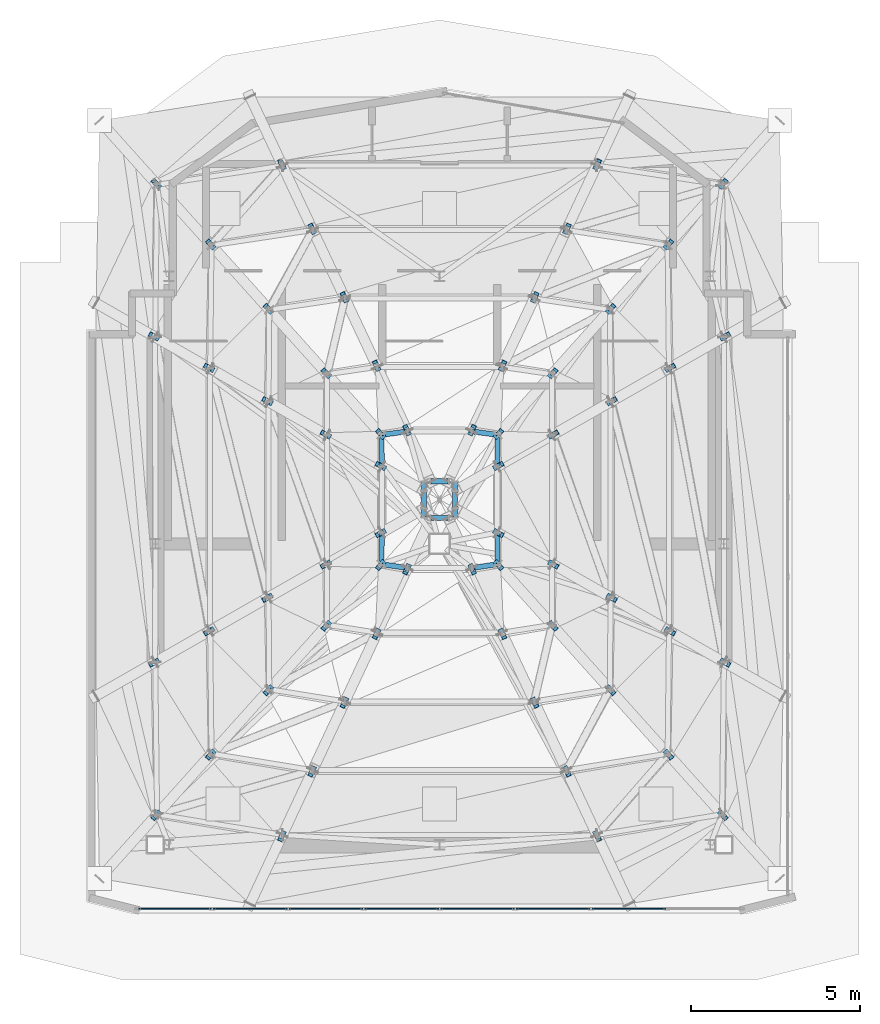
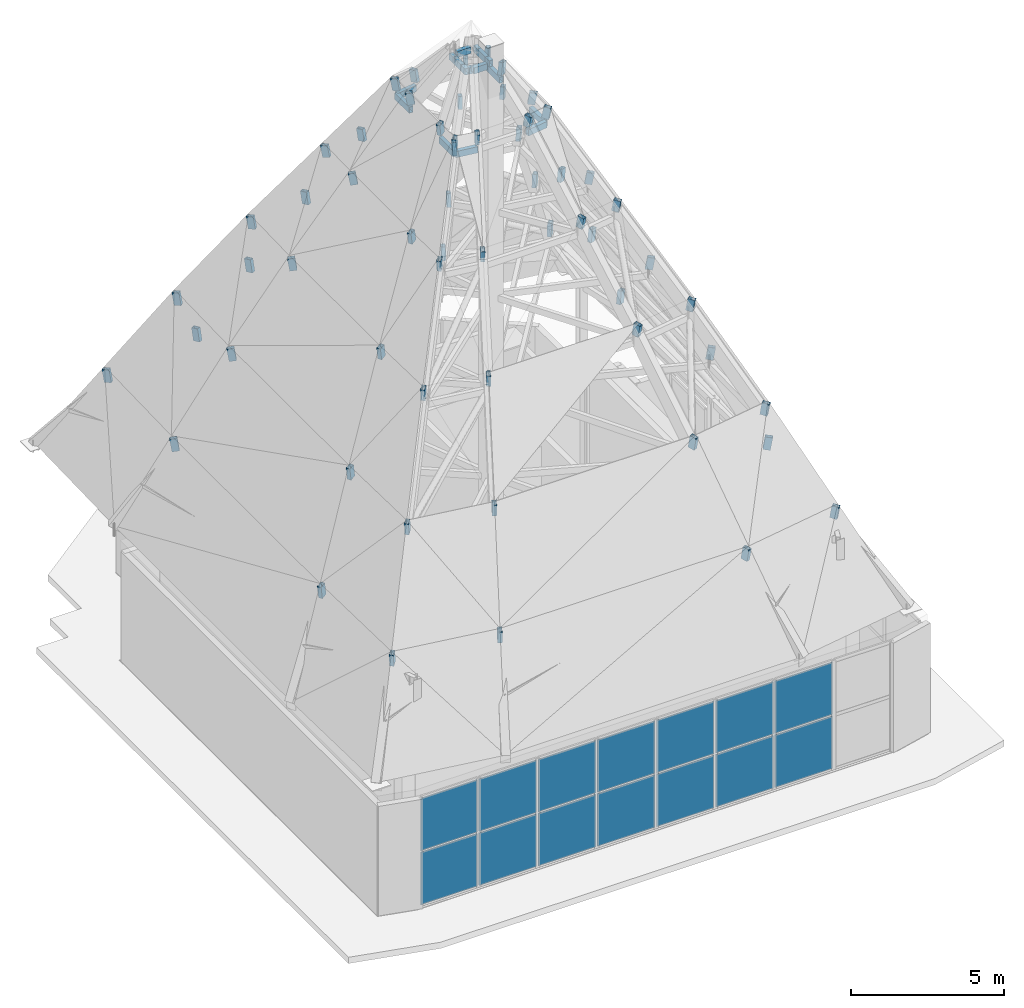
# One storey, part 18 of 30: 76 members, 14 plates, 1 element without a shape of its own.
"""IFC4 building model written with IfcOpenShell, lengths in metres."""

from ifc_helpers import new_model, si_unit, direction, frame, origin, origin_2d, place, context, subcontext, project, spatial, rectangle, hollow_rectangle, extrude, material, layer, layer_set, material_profile, profile_set, type_object, element, aggregate, save


model = new_model("IFC4")

# Units and contexts
model_context = context("Model", 3, precision=1e-05, world=origin(), true_north=direction((0.0, 1.0)))
body_context = subcontext(model_context, "Body", "Model", "MODEL_VIEW")
ifc_project = project(units=[si_unit("LENGTHUNIT", "METRE"), si_unit("AREAUNIT", "SQUARE_METRE"), si_unit("VOLUMEUNIT", "CUBIC_METRE"), si_unit("PLANEANGLEUNIT", "RADIAN"), si_unit("MASSUNIT", "GRAM", prefix="KILO")], contexts=[model_context])

# Site, building, storey
site_placement = place(None, origin())
site = spatial("IfcSite", under=ifc_project, at=site_placement, CompositionType="ELEMENT")
building_placement = place(site_placement, origin())
building = spatial("IfcBuilding", under=site, at=building_placement, Name="Haolan Belvedere Tower", CompositionType="ELEMENT")
storey_placement = place(building_placement, frame((0.0, 0.0, 333.0)))
storey = spatial("IfcBuildingStorey", under=building, at=storey_placement, Name="L83", CompositionType="ELEMENT", Elevation=333.0)

# Members
ifc_material_1 = material(Name="Steel Q355B", Category="steel")
ifc_material_profile = material_profile(ifc_material_1, hollow_rectangle(XDim=0.14990234375, YDim=0.25, WallThickness=0.010009765625, at=origin_2d()), Name="Steel Q355B")
ifc_profile_set = profile_set([ifc_material_profile], Name="Steel Q355B")
member_type = type_object("IfcMemberType", Name="MEM-RHS250x150x10", PredefinedType="PURLIN", material=ifc_profile_set)
for number, where, z_axis, x_axis, name in (
    (1, (30.051513671875, 27.296142578125, 7.823974609375), (-0.106405578255, -0.118066463543, 0.987288287737), (0.742837964983, -0.669471252392, 0.0), "Crown ring node bearing chord lug T1-01"),
    (2, (33.75537109375, 26.688720703125, 7.823974609375), (-0.067531815776, -0.144294599176, 0.987227695371), (0.905715137735, -0.423886882644, 0.0), "Crown ring node bearing chord lug T1-02"),
    (3, (43.044677734375, 26.688720703125, 7.823974609375), (0.067531815776, -0.144294599176, 0.987227695371), (0.905715137735, 0.423886882644, 0.0), "Crown ring node bearing chord lug T1-03"),
    (4, (46.74853515625, 27.296142578125, 7.823974609375), (0.106405578255, -0.118066463543, 0.987288287737), (0.742837964983, 0.669471252392, 0.0), "Crown ring node bearing chord lug T1-04"),
    (5, (46.804443359375, 31.797607421875, 7.823974609375), (0.13798364094, -0.079194836174, 0.987263233771), (0.497782445474, 0.867301929537, 0.0), "Crown ring node bearing chord lug T1-05"),
    (6, (46.804443359375, 41.402587890625, 7.823974609375), (0.137988934216, 0.078711997686, 0.987301106783), (-0.495480037667, 0.868619325293, 0.0), "Crown ring node bearing chord lug T1-06"),
    (7, (46.74853515625, 45.90380859375, 7.823974609375), (0.106399462269, 0.118545519606, 0.987231540324), (-0.744203407529, 0.667953058397, 0.0), "Crown ring node bearing chord lug T1-07"),
    (8, (43.04443359375, 46.46923828125, 7.823974609375), (0.068015416622, 0.14428984812, 0.987195189834), (-0.904542423848, 0.426383634137, 0.0), "Crown ring node bearing chord lug T1-08"),
    (9, (33.755615234375, 46.46923828125, 7.823974609375), (-0.068015416622, 0.14428984812, 0.987195189834), (-0.904542423848, -0.426383634137, 0.0), "Crown ring node bearing chord lug T1-09"),
    (10, (30.051513671875, 45.90380859375, 7.823974609375), (-0.106399462269, 0.118545519606, 0.987231540324), (-0.744203407529, -0.667953058397, 0.0), "Crown ring node bearing chord lug T1-10"),
    (11, (29.99560546875, 41.402587890625, 7.823974609375), (-0.138465511212, 0.078706711636, 0.987234802744), (-0.494166624947, -0.869367210555, 0.0), "Crown ring node bearing chord lug T1-11"),
    (12, (29.99560546875, 31.797607421875, 7.823974609375), (-0.138460200368, -0.079189518105, 0.987196937362), (0.496466913182, -0.868055645748, 0.0), "Crown ring node bearing chord lug T1-12"),
):
    element("IfcMember", number, at=place(storey_placement, frame(where, z_axis=z_axis, x_axis=x_axis)), inside=storey, type_object=member_type, Name=name, PredefinedType="STRUT", context=body_context, shape_type="SweptSolid", body=[
        extrude(hollow_rectangle(XDim=0.14990234375, YDim=0.25, WallThickness=0.010009765625, at=origin_2d()), origin(), (0.0, 0.0, 1.0), 0.50244140625),
    ])
member_1_placement = place(storey_placement, frame((31.659423828125, 29.088134765625, 11.430419921875), z_axis=(-0.107314995557, -0.119621761103, 0.987002596754), x_axis=(0.744359401449, -0.667779216115, 0.0)))
element("IfcMember", 13, at=member_1_placement, inside=storey, type_object=member_type, Name="Crown ring node bearing chord lug T2-01", PredefinedType="STRUT", context=body_context, shape_type="SweptSolid", body=[
    extrude(hollow_rectangle(XDim=0.14990234375, YDim=0.25, WallThickness=0.010009765625, at=origin_2d()), origin(), (0.0, 0.0, 1.0), 0.495849609375),
])
for number, where, z_axis, x_axis, name in (
    (14, (34.6513671875, 28.600830078125, 11.430419921875), (-0.068417683515, -0.146187424489, 0.986888168692), (0.905715137735, -0.423886882644, 0.0), "Crown ring node bearing chord lug T2-02"),
    (15, (42.148681640625, 28.600830078125, 11.430419921875), (0.068417683515, -0.146187424489, 0.986888168692), (0.905715137735, 0.423886882644, 0.0), "Crown ring node bearing chord lug T2-03"),
    (16, (45.140380859375, 29.088134765625, 11.430419921875), (0.107801558326, -0.119615427731, 0.986950339922), (0.742837964983, 0.669471252392, 0.0), "Crown ring node bearing chord lug T2-04"),
    (17, (45.180419921875, 32.7255859375, 11.430419921875), (0.14027637589, -0.080228243053, 0.986856609333), (0.496466913182, 0.868055645748, 0.0), "Crown ring node bearing chord lug T2-05"),
    (18, (45.180419921875, 40.474609375, 11.430419921875), (0.140281898481, 0.0797391844, 0.986895461247), (-0.494166624947, 0.869367210555, 0.0), "Crown ring node bearing chord lug T2-06"),
    (19, (45.140380859375, 44.11181640625, 11.430419921875), (0.107795198468, 0.120100586421, 0.986892113824), (-0.744203407529, 0.667953058397, 0.0), "Crown ring node bearing chord lug T2-07"),
    (20, (42.1484375, 44.565185546875, 11.430419921875), (0.068907568219, 0.146182484007, 0.986854816278), (-0.904542423848, 0.426383634137, 0.0), "Crown ring node bearing chord lug T2-08"),
    (21, (34.651611328125, 44.565185546875, 11.430419921875), (-0.068907568219, 0.146182484007, 0.986854816278), (-0.904542423848, -0.426383634137, 0.0), "Crown ring node bearing chord lug T2-09"),
    (22, (31.659423828125, 44.11181640625, 11.430419921875), (-0.107308663734, 0.12010694473, 0.986944361408), (-0.745720714157, -0.666258670845, 0.0), "Crown ring node bearing chord lug T2-10"),
    (23, (31.61962890625, 40.474609375, 11.430419921875), (-0.140281898481, 0.0797391844, 0.986895461247), (-0.494166624947, -0.869367210555, 0.0), "Crown ring node bearing chord lug T2-11"),
    (24, (31.61962890625, 32.7255859375, 11.430419921875), (-0.14027637589, -0.080228243053, 0.986856609333), (0.496466913182, -0.868055645748, 0.0), "Crown ring node bearing chord lug T2-12"),
):
    element("IfcMember", number, at=place(storey_placement, frame(where, z_axis=z_axis, x_axis=x_axis)), inside=storey, type_object=member_type, Name=name, PredefinedType="STRUT", context=body_context, shape_type="SweptSolid", body=[
        extrude(hollow_rectangle(XDim=0.14990234375, YDim=0.25, WallThickness=0.010009765625, at=origin_2d()), origin(), (0.0, 0.0, 1.0), 0.49609375),
    ])
for number, where, z_axis, x_axis, name in (
    (25, (33.367919921875, 30.9921875, 15.0419921875), (-0.109815330738, -0.122912572019, 0.986323016448), (0.745720714157, -0.666258670845, 0.0), "Crown ring node bearing chord lug T3-01"),
    (26, (35.603515625, 30.63232421875, 15.0419921875), (-0.070015691782, -0.149601873807, 0.986264205098), (0.905715137735, -0.423886882644, 0.0), "Crown ring node bearing chord lug T3-02"),
    (27, (41.196533203125, 30.63232421875, 15.0419921875), (0.070015691782, -0.149601873807, 0.986264205098), (0.905715137735, 0.423886882644, 0.0), "Crown ring node bearing chord lug T3-03"),
    (28, (43.431884765625, 30.9921875, 15.0419921875), (0.110312954627, -0.122905757667, 0.986268334062), (0.744203407529, 0.667953058397, 0.0), "Crown ring node bearing chord lug T3-04"),
    (29, (43.454833984375, 33.71142578125, 15.0419921875), (0.143558464595, -0.08160165356, 0.986271837466), (0.494166624947, 0.869367210555, 0.0), "Crown ring node bearing chord lug T3-05"),
    (30, (43.454833984375, 39.488525390625, 15.0419921875), (0.143552545938, 0.082101982414, 0.986231175252), (-0.496466913182, 0.868055645748, 0.0), "Crown ring node bearing chord lug T3-06"),
    (31, (43.431884765625, 42.207763671875, 15.0419921875), (0.110312954627, 0.122905757667, 0.986268334062), (-0.744203407529, 0.667953058397, 0.0), "Crown ring node bearing chord lug T3-07"),
    (32, (41.1962890625, 42.542236328125, 15.0419921875), (0.07051690593, 0.14959657901, 0.986229298656), (-0.904542423848, 0.426383634137, 0.0), "Crown ring node bearing chord lug T3-08"),
    (33, (35.603515625, 42.542236328125, 15.0419921875), (-0.070015691782, 0.149601873807, 0.986264205098), (-0.905715137735, -0.423886882644, 0.0), "Crown ring node bearing chord lug T3-09"),
    (34, (33.367919921875, 42.207763671875, 15.0419921875), (-0.109815330738, 0.122912572019, 0.986323016448), (-0.745720714157, -0.666258670845, 0.0), "Crown ring node bearing chord lug T3-10"),
    (35, (33.34521484375, 39.488525390625, 15.0419921875), (-0.143552545938, 0.082101982414, 0.986231175252), (-0.496466913182, -0.868055645748, 0.0), "Crown ring node bearing chord lug T3-11"),
    (36, (33.34521484375, 33.71142578125, 15.0419921875), (-0.143558464595, -0.08160165356, 0.986271837466), (0.494166624947, -0.869367210555, 0.0), "Crown ring node bearing chord lug T3-12"),
):
    element("IfcMember", number, at=place(storey_placement, frame(where, z_axis=z_axis, x_axis=x_axis)), inside=storey, type_object=member_type, Name=name, PredefinedType="STRUT", context=body_context, shape_type="SweptSolid", body=[
        extrude(hollow_rectangle(XDim=0.14990234375, YDim=0.25, WallThickness=0.010009765625, at=origin_2d()), origin(), (0.0, 0.0, 1.0), 0.484619140625),
    ])
member_2_placement = place(storey_placement, frame((35.076416015625, 32.896240234375, 18.4638671875), z_axis=(-0.114952237042, -0.128662136872, 0.985003572448), x_axis=(0.745720714157, -0.666258670845, 0.0)))
element("IfcMember", 37, at=member_2_placement, inside=storey, type_object=member_type, Name="Crown ring node bearing chord lug T4-01", PredefinedType="STRUT", context=body_context, shape_type="SweptSolid", body=[
    extrude(hollow_rectangle(XDim=0.14990234375, YDim=0.25, WallThickness=0.010009765625, at=origin_2d()), origin(), (0.0, 0.0, 1.0), 0.462890625),
])
for number, where, z_axis, x_axis, name in (
    (38, (36.555419921875, 32.663818359375, 18.4638671875), (-0.073290444952, -0.156599008278, 0.984939217051), (0.905715137735, -0.423886882644, 0.0), "Crown ring node bearing chord lug T4-02"),
    (39, (40.24462890625, 32.663818359375, 18.4638671875), (0.073290444952, -0.156599008278, 0.984939217051), (0.905715137735, 0.423886882644, 0.0), "Crown ring node bearing chord lug T4-03"),
    (40, (41.723388671875, 32.896240234375, 18.4638671875), (0.115472525702, -0.128654320873, 0.98494373521), (0.744203407529, 0.667953058397, 0.0), "Crown ring node bearing chord lug T4-04"),
):
    element("IfcMember", number, at=place(storey_placement, frame(where, z_axis=z_axis, x_axis=x_axis)), inside=storey, type_object=member_type, Name=name, PredefinedType="STRUT", context=body_context, shape_type="SweptSolid", body=[
        extrude(hollow_rectangle(XDim=0.14990234375, YDim=0.25, WallThickness=0.010009765625, at=origin_2d()), origin(), (0.0, 0.0, 1.0), 0.463134765625),
    ])
for number, where, z_axis, x_axis, name in (
    (41, (41.7294921875, 34.697509765625, 18.4638671875), (0.149750855352, -0.085948554304, 0.984980978159), (0.497782445474, 0.867301929537, 0.0), "Crown ring node bearing chord lug T4-05"),
    (42, (41.7294921875, 38.50244140625, 18.4638671875), (0.149750855352, 0.085948554304, 0.984980978159), (-0.497782445474, 0.867301929537, 0.0), "Crown ring node bearing chord lug T4-06"),
):
    element("IfcMember", number, at=place(storey_placement, frame(where, z_axis=z_axis, x_axis=x_axis)), inside=storey, type_object=member_type, Name=name, PredefinedType="STRUT", context=body_context, shape_type="SweptSolid", body=[
        extrude(hollow_rectangle(XDim=0.14990234375, YDim=0.25, WallThickness=0.010009765625, at=origin_2d()), origin(), (0.0, 0.0, 1.0), 0.462890625),
    ])
for number, where, z_axis, x_axis, name in (
    (43, (41.723388671875, 40.3037109375, 18.4638671875), (0.115472525702, 0.128654320873, 0.98494373521), (-0.744203407529, 0.667953058397, 0.0), "Crown ring node bearing chord lug T4-07"),
    (44, (40.244384765625, 40.519287109375, 18.4638671875), (0.073814851648, 0.156592935281, 0.984901020558), (-0.904542423848, 0.426383634137, 0.0), "Crown ring node bearing chord lug T4-08"),
    (45, (36.5556640625, 40.519287109375, 18.4638671875), (-0.073814851648, 0.156592935281, 0.984901020558), (-0.904542423848, -0.426383634137, 0.0), "Crown ring node bearing chord lug T4-09"),
):
    element("IfcMember", number, at=place(storey_placement, frame(where, z_axis=z_axis, x_axis=x_axis)), inside=storey, type_object=member_type, Name=name, PredefinedType="STRUT", context=body_context, shape_type="SweptSolid", body=[
        extrude(hollow_rectangle(XDim=0.14990234375, YDim=0.25, WallThickness=0.010009765625, at=origin_2d()), origin(), (0.0, 0.0, 1.0), 0.463134765625),
    ])
for number, where, z_axis, x_axis, name in (
    (46, (35.076416015625, 40.3037109375, 18.4638671875), (-0.114952237042, 0.128662136872, 0.985003572448), (-0.745720714157, -0.666258670845, 0.0), "Crown ring node bearing chord lug T4-10"),
    (47, (35.070556640625, 38.50244140625, 18.4638671875), (-0.149750855352, 0.085948554304, 0.984980978159), (-0.497782445474, -0.867301929537, 0.0), "Crown ring node bearing chord lug T4-11"),
    (48, (35.070556640625, 34.697509765625, 18.4638671875), (-0.149750855352, -0.085948554304, 0.984980978159), (0.497782445474, -0.867301929537, 0.0), "Crown ring node bearing chord lug T4-12"),
):
    element("IfcMember", number, at=place(storey_placement, frame(where, z_axis=z_axis, x_axis=x_axis)), inside=storey, type_object=member_type, Name=name, PredefinedType="STRUT", context=body_context, shape_type="SweptSolid", body=[
        extrude(hollow_rectangle(XDim=0.14990234375, YDim=0.25, WallThickness=0.010009765625, at=origin_2d()), origin(), (0.0, 0.0, 1.0), 0.462890625),
    ])
for number, where, z_axis, x_axis, name in (
    (49, (36.6845703125, 34.688232421875, 21.657958984375), (-0.113992235102, -0.127005047329, 0.985330141775), (0.744203407529, -0.667953058397, 0.0), "Crown ring node bearing chord lug T5-01"),
    (50, (37.451416015625, 34.57568359375, 21.657958984375), (-0.072356725262, -0.15408338617, 0.985404898717), (0.905164916983, -0.425060552232, 0.0), "Crown ring node bearing chord lug T5-02"),
    (51, (39.3486328125, 34.57568359375, 21.657958984375), (0.072356725262, -0.15408338617, 0.985404898717), (0.905164916983, 0.425060552232, 0.0), "Crown ring node bearing chord lug T5-03"),
    (52, (40.115478515625, 34.688232421875, 21.657958984375), (0.113992235102, -0.127005047329, 0.985330141775), (0.744203407529, 0.667953058397, 0.0), "Crown ring node bearing chord lug T5-04"),
    (53, (40.10546875, 35.62548828125, 21.657958984375), (0.147830994108, -0.084846662111, 0.985366450164), (0.497782445474, 0.867301929537, 0.0), "Crown ring node bearing chord lug T5-05"),
    (54, (40.10546875, 37.574462890625, 21.657958984375), (0.147830994108, 0.084846662111, 0.985366450164), (-0.497782445474, 0.867301929537, 0.0), "Crown ring node bearing chord lug T5-06"),
    (55, (40.115478515625, 38.51171875, 21.657958984375), (0.113992235102, 0.127005047329, 0.985330141775), (-0.744203407529, 0.667953058397, 0.0), "Crown ring node bearing chord lug T5-07"),
    (56, (39.348388671875, 38.615234375, 21.657958984375), (0.072868668695, 0.154585675732, 0.985288498858), (-0.904542423848, 0.426383634137, 0.0), "Crown ring node bearing chord lug T5-08"),
    (57, (37.45166015625, 38.615234375, 21.657958984375), (-0.072868668695, 0.154585675732, 0.985288498858), (-0.904542423848, -0.426383634137, 0.0), "Crown ring node bearing chord lug T5-09"),
    (58, (36.6845703125, 38.51171875, 21.657958984375), (-0.113992235102, 0.127005047329, 0.985330141775), (-0.744203407529, -0.667953058397, 0.0), "Crown ring node bearing chord lug T5-10"),
    (59, (36.694580078125, 37.574462890625, 21.657958984375), (-0.148340091246, 0.084840122362, 0.9852905008), (-0.496466913182, -0.868055645748, 0.0), "Crown ring node bearing chord lug T5-11"),
    (60, (36.694580078125, 35.62548828125, 21.657958984375), (-0.148340091246, -0.084840122362, 0.9852905008), (0.496466913182, -0.868055645748, 0.0), "Crown ring node bearing chord lug T5-12"),
):
    element("IfcMember", number, at=place(storey_placement, frame(where, z_axis=z_axis, x_axis=x_axis)), inside=storey, type_object=member_type, Name=name, PredefinedType="STRUT", context=body_context, shape_type="SweptSolid", body=[
        extrude(hollow_rectangle(XDim=0.14990234375, YDim=0.25, WallThickness=0.010009765625, at=origin_2d()), origin(), (0.0, 0.0, 1.0), 0.468994140625),
    ])
for number, where, z_axis, x_axis, name in (
    (61, (36.6845703125, 34.688232421875, 21.41796875), (0.9894004369, -0.145212862595, 0.0), (0.145212862595, 0.9894004369, 0.0), "Crown frame horizontal ring purlin T5-01"),
    (62, (39.3486328125, 34.57568359375, 21.41796875), (0.9894004369, 0.145212862595, 0.0), (-0.145212862595, 0.9894004369, 0.0), "Crown frame horizontal ring purlin T5-03"),
):
    element("IfcMember", number, at=place(storey_placement, frame(where, z_axis=z_axis, x_axis=x_axis)), inside=storey, type_object=member_type, Name=name, PredefinedType="PURLIN", context=body_context, shape_type="SweptSolid", body=[
        extrude(hollow_rectangle(XDim=0.14990234375, YDim=0.25, WallThickness=0.010009765625, at=origin_2d()), origin(), (0.0, 0.0, 1.0), 0.775146484375),
    ])
for number, where, z_axis, x_axis, name in (
    (63, (40.115478515625, 34.688232421875, 21.41796875), (-0.01067925553, 0.999942975125, 0.0), (-0.999942975125, -0.01067925553, 0.0), "Crown frame horizontal ring purlin T5-04"),
    (64, (40.10546875, 37.574462890625, 21.41796875), (0.01067925553, 0.999942975125, 0.0), (-0.999942975125, 0.01067925553, 0.0), "Crown frame horizontal ring purlin T5-06"),
):
    element("IfcMember", number, at=place(storey_placement, frame(where, z_axis=z_axis, x_axis=x_axis)), inside=storey, type_object=member_type, Name=name, PredefinedType="PURLIN", context=body_context, shape_type="SweptSolid", body=[
        extrude(hollow_rectangle(XDim=0.14990234375, YDim=0.25, WallThickness=0.010009765625, at=origin_2d()), origin(), (0.0, 0.0, 1.0), 0.937255859375),
    ])
for number, where, z_axis, x_axis, name in (
    (65, (40.115478515625, 38.51171875, 21.41796875), (-0.991017302153, 0.13373371614, 0.0), (-0.13373371614, -0.991017302153, 0.0), "Crown frame horizontal ring purlin T5-07"),
    (66, (37.45166015625, 38.615234375, 21.41796875), (-0.991017302153, -0.13373371614, 0.0), (0.13373371614, -0.991017302153, 0.0), "Crown frame horizontal ring purlin T5-09"),
):
    element("IfcMember", number, at=place(storey_placement, frame(where, z_axis=z_axis, x_axis=x_axis)), inside=storey, type_object=member_type, Name=name, PredefinedType="PURLIN", context=body_context, shape_type="SweptSolid", body=[
        extrude(hollow_rectangle(XDim=0.14990234375, YDim=0.25, WallThickness=0.010009765625, at=origin_2d()), origin(), (0.0, 0.0, 1.0), 0.77392578125),
    ])
for number, where, z_axis, x_axis, name in (
    (67, (36.6845703125, 38.51171875, 21.41796875), (0.01067925553, -0.999942975125, 0.0), (0.999942975125, 0.01067925553, 0.0), "Crown frame horizontal ring purlin T5-10"),
    (68, (36.694580078125, 35.62548828125, 21.41796875), (-0.01067925553, -0.999942975125, 0.0), (0.999942975125, -0.01067925553, 0.0), "Crown frame horizontal ring purlin T5-12"),
):
    element("IfcMember", number, at=place(storey_placement, frame(where, z_axis=z_axis, x_axis=x_axis)), inside=storey, type_object=member_type, Name=name, PredefinedType="PURLIN", context=body_context, shape_type="SweptSolid", body=[
        extrude(hollow_rectangle(XDim=0.14990234375, YDim=0.25, WallThickness=0.010009765625, at=origin_2d()), origin(), (0.0, 0.0, 1.0), 0.937255859375),
    ])
member_3_placement = place(storey_placement, frame((38.1455078125, 36.056884765625, 23.416748046875), z_axis=(1.0, 0.0, 0.0), x_axis=(0.0, 1.0, 0.0)))
element("IfcMember", 69, at=member_3_placement, inside=storey, type_object=member_type, Name="Crown frame horizontal ring purlin T6-02", PredefinedType="PURLIN", context=body_context, shape_type="SweptSolid", body=[
    extrude(hollow_rectangle(XDim=0.14990234375, YDim=0.25, WallThickness=0.010009765625, at=origin_2d()), origin(), (0.0, 0.0, 1.0), 0.509033203125),
])
member_4_placement = place(storey_placement, frame((38.8623046875, 36.084716796875, 23.416748046875), z_axis=(-0.026784645318, 0.999641227029, 0.0), x_axis=(-0.999641227029, -0.026784645318, 0.0)))
element("IfcMember", 70, at=member_4_placement, inside=storey, type_object=member_type, Name="Crown frame horizontal ring purlin T6-04", PredefinedType="PURLIN", context=body_context, shape_type="SweptSolid", body=[
    extrude(hollow_rectangle(XDim=0.14990234375, YDim=0.25, WallThickness=0.010009765625, at=origin_2d()), origin(), (0.0, 0.0, 1.0), 0.255126953125),
])
member_5_placement = place(storey_placement, frame((38.85546875, 36.33984375, 23.416748046875), z_axis=(0.0, 1.0, 0.0), x_axis=(-1.0, 0.0, 0.0)))
element("IfcMember", 71, at=member_5_placement, inside=storey, type_object=member_type, Name="Crown frame horizontal ring purlin T6-05", PredefinedType="PURLIN", context=body_context, shape_type="SweptSolid", body=[
    extrude(hollow_rectangle(XDim=0.14990234375, YDim=0.25, WallThickness=0.010009765625, at=origin_2d()), origin(), (0.0, 0.0, 1.0), 0.520263671875),
])
member_6_placement = place(storey_placement, frame((38.85546875, 36.860107421875, 23.416748046875), z_axis=(0.026784645318, 0.999641227029, 0.0), x_axis=(-0.999641227029, 0.026784645318, 0.0)))
element("IfcMember", 72, at=member_6_placement, inside=storey, type_object=member_type, Name="Crown frame horizontal ring purlin T6-06", PredefinedType="PURLIN", context=body_context, shape_type="SweptSolid", body=[
    extrude(hollow_rectangle(XDim=0.14990234375, YDim=0.25, WallThickness=0.010009765625, at=origin_2d()), origin(), (0.0, 0.0, 1.0), 0.255126953125),
])
member_7_placement = place(storey_placement, frame((38.654541015625, 37.140625, 23.416748046875), z_axis=(-1.0, 0.0, 0.0), x_axis=(0.0, -1.0, 0.0)))
element("IfcMember", 73, at=member_7_placement, inside=storey, type_object=member_type, Name="Crown frame horizontal ring purlin T6-08", PredefinedType="PURLIN", context=body_context, shape_type="SweptSolid", body=[
    extrude(hollow_rectangle(XDim=0.14990234375, YDim=0.25, WallThickness=0.010009765625, at=origin_2d()), origin(), (0.0, 0.0, 1.0), 0.509033203125),
])
member_8_placement = place(storey_placement, frame((37.9375, 37.115234375, 23.416748046875), z_axis=(0.027740516342, -0.999615157825, 0.0), x_axis=(0.999615157825, 0.027740516342, 0.0)))
element("IfcMember", 74, at=member_8_placement, inside=storey, type_object=member_type, Name="Crown frame horizontal ring purlin T6-10", PredefinedType="PURLIN", context=body_context, shape_type="SweptSolid", body=[
    extrude(hollow_rectangle(XDim=0.14990234375, YDim=0.25, WallThickness=0.010009765625, at=origin_2d()), origin(), (0.0, 0.0, 1.0), 0.255126953125),
])
member_9_placement = place(storey_placement, frame((37.944580078125, 36.860107421875, 23.416748046875), z_axis=(0.0, -1.0, 0.0), x_axis=(1.0, 0.0, 0.0)))
element("IfcMember", 75, at=member_9_placement, inside=storey, type_object=member_type, Name="Crown frame horizontal ring purlin T6-11", PredefinedType="PURLIN", context=body_context, shape_type="SweptSolid", body=[
    extrude(hollow_rectangle(XDim=0.14990234375, YDim=0.25, WallThickness=0.010009765625, at=origin_2d()), origin(), (0.0, 0.0, 1.0), 0.520263671875),
])
member_10_placement = place(storey_placement, frame((37.944580078125, 36.33984375, 23.416748046875), z_axis=(-0.027740516342, -0.999615157825, 0.0), x_axis=(0.999615157825, -0.027740516342, 0.0)))
element("IfcMember", 76, at=member_10_placement, inside=storey, type_object=member_type, Name="Crown frame horizontal ring purlin T6-12", PredefinedType="PURLIN", context=body_context, shape_type="SweptSolid", body=[
    extrude(hollow_rectangle(XDim=0.14990234375, YDim=0.25, WallThickness=0.010009765625, at=origin_2d()), origin(), (0.0, 0.0, 1.0), 0.255126953125),
])

# Curtain wall, plates
ifc_material_2 = material(Name="Anodised champagne-silver aluminium 6063-T6 and Low-E glass", Category="aluminium")
ifc_layer_1 = layer(ifc_material_2, 0.172119140625, Name="Anodised champagne-silver aluminium 6063-T6 and Low-E glass")
ifc_layer_set_1 = layer_set([ifc_layer_1], Name="Anodised champagne-silver aluminium 6063-T6 and Low-E glass")
curtain_wall_type = type_object("IfcCurtainWallType", Name="CW-SYS-07", PredefinedType="NOTDEFINED", material=ifc_layer_set_1)
curtain_wall_placement = place(storey_placement, origin())
curtain_wall = element("IfcCurtainWall", 77, at=curtain_wall_placement, inside=storey, type_object=curtain_wall_type, Name="L83 CW-SYS-07 ribbon curtain wall 2.1", PredefinedType="NOTDEFINED")
ifc_material_3 = material(Name="Double silver Low-E laminated insulating glass", Category="glass")
ifc_layer_2 = layer(ifc_material_3, 0.030029296875, Name="Double silver Low-E laminated insulating glass")
ifc_layer_set_2 = layer_set([ifc_layer_2], Name="Double silver Low-E laminated insulating glass")
plate_type = type_object("IfcPlateType", Name="CW-SYS-07-PNL", PredefinedType="CURTAIN_PANEL", material=ifc_layer_set_2)
plate_1_placement = place(storey_placement, frame((30.58056640625, 24.510009765625, 0.05810546875), z_axis=(0.0, 0.0, 1.0), x_axis=(1.0, 0.0, 0.0)))
plate_1 = element("IfcPlate", 78, at=plate_1_placement, type_object=plate_type, Name="CW-07 panel 1.1", PredefinedType="CURTAIN_PANEL", context=body_context, shape_type="SweptSolid", body=[
    extrude(rectangle(XDim=2.1455078125, YDim=0.030029296875, at=origin_2d()), origin(), (0.0, 0.0, 1.0), 2.10302734375),
])
plate_2_placement = place(storey_placement, frame((30.58056640625, 24.510009765625, 2.218994140625), z_axis=(0.0, 0.0, 1.0), x_axis=(1.0, 0.0, 0.0)))
plate_2 = element("IfcPlate", 79, at=plate_2_placement, type_object=plate_type, Name="CW-07 panel 1.2", PredefinedType="CURTAIN_PANEL", context=body_context, shape_type="SweptSolid", body=[
    extrude(rectangle(XDim=2.1455078125, YDim=0.030029296875, at=origin_2d()), origin(), (0.0, 0.0, 1.0), 2.10302734375),
])
plate_3_placement = place(storey_placement, frame((32.8037109375, 24.510009765625, 0.05810546875), z_axis=(0.0, 0.0, 1.0), x_axis=(1.0, 0.0, 0.0)))
plate_3 = element("IfcPlate", 80, at=plate_3_placement, type_object=plate_type, Name="CW-07 panel 2.1", PredefinedType="CURTAIN_PANEL", context=body_context, shape_type="SweptSolid", body=[
    extrude(rectangle(XDim=2.176513671875, YDim=0.030029296875, at=origin_2d()), origin(), (0.0, 0.0, 1.0), 2.10302734375),
])
plate_4_placement = place(storey_placement, frame((32.8037109375, 24.510009765625, 2.218994140625), z_axis=(0.0, 0.0, 1.0), x_axis=(1.0, 0.0, 0.0)))
plate_4 = element("IfcPlate", 81, at=plate_4_placement, type_object=plate_type, Name="CW-07 panel 2.2", PredefinedType="CURTAIN_PANEL", context=body_context, shape_type="SweptSolid", body=[
    extrude(rectangle(XDim=2.176513671875, YDim=0.030029296875, at=origin_2d()), origin(), (0.0, 0.0, 1.0), 2.10302734375),
])
plate_5_placement = place(storey_placement, frame((35.042236328125, 24.510009765625, 0.05810546875), z_axis=(0.0, 0.0, 1.0), x_axis=(1.0, 0.0, 0.0)))
plate_5 = element("IfcPlate", 82, at=plate_5_placement, type_object=plate_type, Name="CW-07 panel 3.1", PredefinedType="CURTAIN_PANEL", context=body_context, shape_type="SweptSolid", body=[
    extrude(rectangle(XDim=2.176513671875, YDim=0.030029296875, at=origin_2d()), origin(), (0.0, 0.0, 1.0), 2.10302734375),
])
plate_6_placement = place(storey_placement, frame((35.042236328125, 24.510009765625, 2.218994140625), z_axis=(0.0, 0.0, 1.0), x_axis=(1.0, 0.0, 0.0)))
plate_6 = element("IfcPlate", 83, at=plate_6_placement, type_object=plate_type, Name="CW-07 panel 3.2", PredefinedType="CURTAIN_PANEL", context=body_context, shape_type="SweptSolid", body=[
    extrude(rectangle(XDim=2.176513671875, YDim=0.030029296875, at=origin_2d()), origin(), (0.0, 0.0, 1.0), 2.10302734375),
])
plate_7_placement = place(storey_placement, frame((37.28076171875, 24.510009765625, 0.05810546875), z_axis=(0.0, 0.0, 1.0), x_axis=(1.0, 0.0, 0.0)))
plate_7 = element("IfcPlate", 84, at=plate_7_placement, type_object=plate_type, Name="CW-07 panel 4.1", PredefinedType="CURTAIN_PANEL", context=body_context, shape_type="SweptSolid", body=[
    extrude(rectangle(XDim=2.176513671875, YDim=0.030029296875, at=origin_2d()), origin(), (0.0, 0.0, 1.0), 2.10302734375),
])
plate_8_placement = place(storey_placement, frame((37.28076171875, 24.510009765625, 2.218994140625), z_axis=(0.0, 0.0, 1.0), x_axis=(1.0, 0.0, 0.0)))
plate_8 = element("IfcPlate", 85, at=plate_8_placement, type_object=plate_type, Name="CW-07 panel 4.2", PredefinedType="CURTAIN_PANEL", context=body_context, shape_type="SweptSolid", body=[
    extrude(rectangle(XDim=2.176513671875, YDim=0.030029296875, at=origin_2d()), origin(), (0.0, 0.0, 1.0), 2.10302734375),
])
plate_9_placement = place(storey_placement, frame((39.519287109375, 24.510009765625, 0.05810546875), z_axis=(0.0, 0.0, 1.0), x_axis=(1.0, 0.0, 0.0)))
plate_9 = element("IfcPlate", 86, at=plate_9_placement, type_object=plate_type, Name="CW-07 panel 5.1", PredefinedType="CURTAIN_PANEL", context=body_context, shape_type="SweptSolid", body=[
    extrude(rectangle(XDim=2.176513671875, YDim=0.030029296875, at=origin_2d()), origin(), (0.0, 0.0, 1.0), 2.10302734375),
])
plate_10_placement = place(storey_placement, frame((39.519287109375, 24.510009765625, 2.218994140625), z_axis=(0.0, 0.0, 1.0), x_axis=(1.0, 0.0, 0.0)))
plate_10 = element("IfcPlate", 87, at=plate_10_placement, type_object=plate_type, Name="CW-07 panel 5.2", PredefinedType="CURTAIN_PANEL", context=body_context, shape_type="SweptSolid", body=[
    extrude(rectangle(XDim=2.176513671875, YDim=0.030029296875, at=origin_2d()), origin(), (0.0, 0.0, 1.0), 2.10302734375),
])
plate_11_placement = place(storey_placement, frame((41.7578125, 24.510009765625, 0.05810546875), z_axis=(0.0, 0.0, 1.0), x_axis=(1.0, 0.0, 0.0)))
plate_11 = element("IfcPlate", 88, at=plate_11_placement, type_object=plate_type, Name="CW-07 panel 6.1", PredefinedType="CURTAIN_PANEL", context=body_context, shape_type="SweptSolid", body=[
    extrude(rectangle(XDim=2.176513671875, YDim=0.030029296875, at=origin_2d()), origin(), (0.0, 0.0, 1.0), 2.10302734375),
])
plate_12_placement = place(storey_placement, frame((41.7578125, 24.510009765625, 2.218994140625), z_axis=(0.0, 0.0, 1.0), x_axis=(1.0, 0.0, 0.0)))
plate_12 = element("IfcPlate", 89, at=plate_12_placement, type_object=plate_type, Name="CW-07 panel 6.2", PredefinedType="CURTAIN_PANEL", context=body_context, shape_type="SweptSolid", body=[
    extrude(rectangle(XDim=2.176513671875, YDim=0.030029296875, at=origin_2d()), origin(), (0.0, 0.0, 1.0), 2.10302734375),
])
plate_13_placement = place(storey_placement, frame((43.996337890625, 24.510009765625, 0.05810546875), z_axis=(0.0, 0.0, 1.0), x_axis=(1.0, 0.0, 0.0)))
plate_13 = element("IfcPlate", 90, at=plate_13_placement, type_object=plate_type, Name="CW-07 panel 7.1", PredefinedType="CURTAIN_PANEL", context=body_context, shape_type="SweptSolid", body=[
    extrude(rectangle(XDim=2.176513671875, YDim=0.030029296875, at=origin_2d()), origin(), (0.0, 0.0, 1.0), 2.10302734375),
])
plate_14_placement = place(storey_placement, frame((43.996337890625, 24.510009765625, 2.218994140625), z_axis=(0.0, 0.0, 1.0), x_axis=(1.0, 0.0, 0.0)))
plate_14 = element("IfcPlate", 91, at=plate_14_placement, type_object=plate_type, Name="CW-07 panel 7.2", PredefinedType="CURTAIN_PANEL", context=body_context, shape_type="SweptSolid", body=[
    extrude(rectangle(XDim=2.176513671875, YDim=0.030029296875, at=origin_2d()), origin(), (0.0, 0.0, 1.0), 2.10302734375),
])
aggregate(curtain_wall, [plate_1, plate_2, plate_3, plate_4, plate_5, plate_6, plate_7, plate_8, plate_9, plate_10, plate_11, plate_12, plate_13, plate_14])

save(model, "model.ifc")
